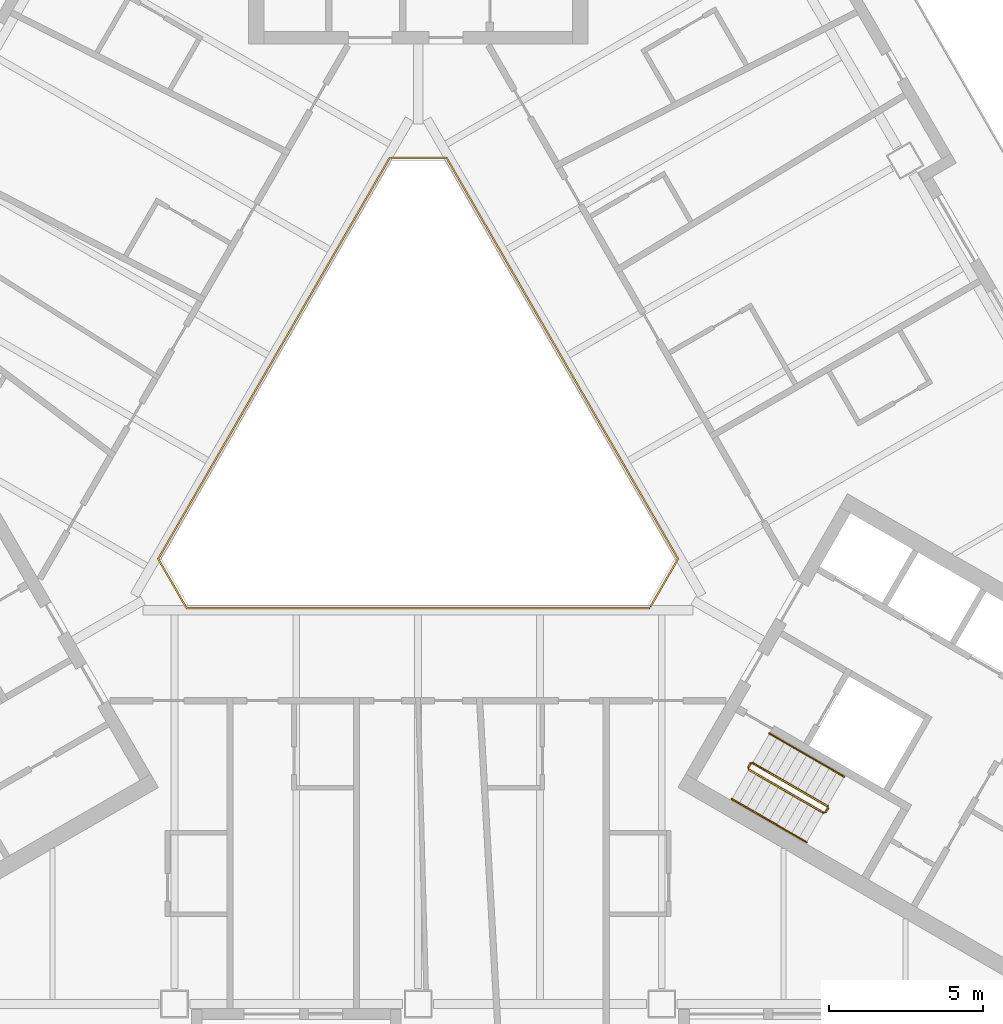
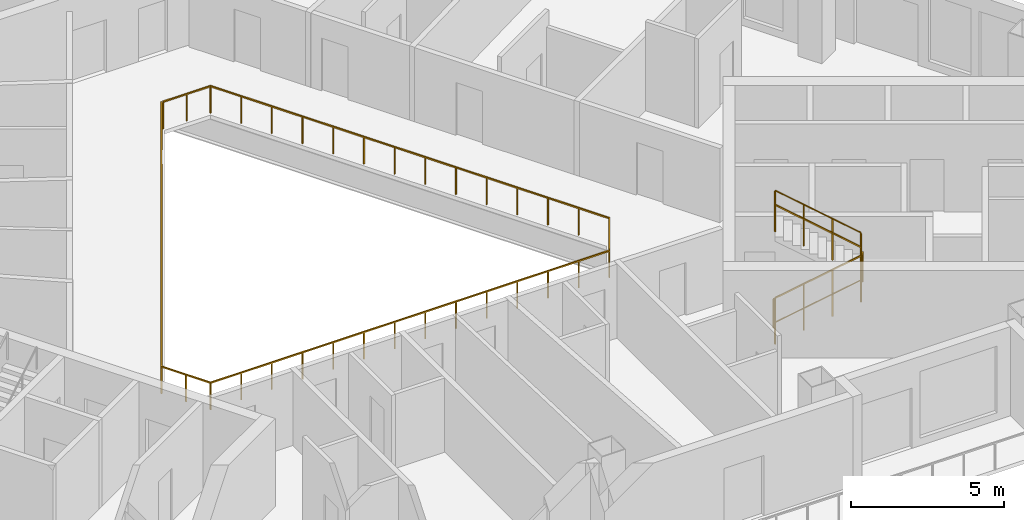
# One storey, part 12 of 14: 8 railings.
"""IFC4 building model written with IfcOpenShell, lengths in metres."""

from ifc_helpers import new_model, si_unit, direction, frame, origin, origin_2d, place, context, subcontext, project, spatial, rectangle, circle, extrude, material, type_object, element, save


model = new_model("IFC4")

# Units and contexts
model_context = context("Model", 3, precision=1e-05, world=origin(), true_north=direction((0.0, 1.0)))
body_context = subcontext(model_context, "Body", "Model", "MODEL_VIEW")
ifc_project = project(units=[si_unit("LENGTHUNIT", "METRE"), si_unit("AREAUNIT", "SQUARE_METRE"), si_unit("VOLUMEUNIT", "CUBIC_METRE"), si_unit("PLANEANGLEUNIT", "RADIAN"), si_unit("MASSUNIT", "GRAM", prefix="KILO")], contexts=[model_context])

# Site, building, storey
site_placement = place(None, origin())
site = spatial("IfcSite", under=ifc_project, at=site_placement, CompositionType="ELEMENT")
building_placement = place(site_placement, origin())
building = spatial("IfcBuilding", under=site, at=building_placement, Name="Apuvela Tower Hotel", CompositionType="ELEMENT")
storey_placement = place(building_placement, frame((0.0, 0.0, 87.199951171875)))
storey = spatial("IfcBuildingStorey", under=building, at=storey_placement, Name="L19", CompositionType="ELEMENT", Elevation=87.199951171875)

# Railings
ifc_material_1 = material(Name="Steel S275 balustrade", Category="steel")
railing_type_1 = type_object("IfcRailingType", Name="COR-GUARD-1100", PredefinedType="GUARDRAIL", material=ifc_material_1)
railing_1_placement = place(storey_placement, frame((10.718994140625, -10.63427734375, 0.168212890625)))
element("IfcRailing", 1, at=railing_1_placement, inside=storey, type_object=railing_type_1, Name="L19 ST3 stair guard 1", PredefinedType="GUARDRAIL", context=body_context, shape_type="SweptSolid", body=[
    extrude(rectangle(XDim=0.048095703125, YDim=0.048095703125, at=origin_2d()), frame((0.0, 0.0, 1.076171875), z_axis=(0.742390482028, -0.42860119049, 0.514934356695), x_axis=(0.49998411664, 0.866034573852, 0.0)), (0.0, 0.0, 1.0), 3.26611328125),
    extrude(rectangle(XDim=0.0419921875, YDim=0.0419921875, at=origin_2d()), origin(), (0.0, 0.0, 1.0), 1.052001953125),
    extrude(rectangle(XDim=0.0419921875, YDim=0.0419921875, at=origin_2d()), frame((0.808349609375, -0.466552734375, 0.560546875)), (0.0, 0.0, 1.0), 1.052001953125),
    extrude(rectangle(XDim=0.0419921875, YDim=0.0419921875, at=origin_2d()), frame((1.616455078125, -0.933349609375, 1.121337890625)), (0.0, 0.0, 1.0), 1.052001953125),
    extrude(rectangle(XDim=0.0419921875, YDim=0.0419921875, at=origin_2d()), frame((2.4248046875, -1.39990234375, 1.681884765625)), (0.0, 0.0, 1.0), 1.052001953125),
])
railing_2_placement = place(storey_placement, frame((13.212158203125, -12.015869140625, 1.85009765625)))
element("IfcRailing", 2, at=railing_2_placement, inside=storey, type_object=railing_type_1, Name="L19 ST3 stair guard 2", PredefinedType="GUARDRAIL", context=body_context, shape_type="SweptSolid", body=[
    extrude(rectangle(XDim=0.048095703125, YDim=0.048095703125, at=origin_2d()), frame((0.0, 0.0, 1.076171875), z_axis=(0.499816412211, 0.866131372301, 0.0), x_axis=(-0.866131372301, 0.499816412211, 0.0)), (0.0, 0.0, 1.0), 0.14990234375),
    extrude(rectangle(XDim=0.0419921875, YDim=0.0419921875, at=origin_2d()), origin(), (0.0, 0.0, 1.0), 1.052001953125),
    extrude(rectangle(XDim=0.0419921875, YDim=0.0419921875, at=origin_2d()), frame((0.074951171875, 0.1298828125, 0.0)), (0.0, 0.0, 1.0), 1.052001953125),
])
railing_3_placement = place(storey_placement, frame((13.268798828125, -11.817626953125, 2.018310546875)))
element("IfcRailing", 3, at=railing_3_placement, inside=storey, type_object=railing_type_1, Name="L19 ST3 stair guard 3", PredefinedType="GUARDRAIL", context=body_context, shape_type="SweptSolid", body=[
    extrude(rectangle(XDim=0.048095703125, YDim=0.048095703125, at=origin_2d()), frame((0.0, 0.0, 1.076171875), z_axis=(-0.74241905619, 0.428617687091, 0.514879426), x_axis=(-0.49998411664, -0.866034573852, 0.0)), (0.0, 0.0, 1.0), 3.26611328125),
    extrude(rectangle(XDim=0.0419921875, YDim=0.0419921875, at=origin_2d()), origin(), (0.0, 0.0, 1.0), 1.052001953125),
    extrude(rectangle(XDim=0.0419921875, YDim=0.0419921875, at=origin_2d()), frame((-0.808349609375, 0.466552734375, 0.560546875)), (0.0, 0.0, 1.0), 1.052001953125),
    extrude(rectangle(XDim=0.0419921875, YDim=0.0419921875, at=origin_2d()), frame((-1.616455078125, 0.933349609375, 1.12109375)), (0.0, 0.0, 1.0), 1.052001953125),
    extrude(rectangle(XDim=0.0419921875, YDim=0.0419921875, at=origin_2d()), frame((-2.4248046875, 1.39990234375, 1.681640625)), (0.0, 0.0, 1.0), 1.052001953125),
])
railing_4_placement = place(storey_placement, frame((10.70068359375, -10.56591796875, 0.0)))
element("IfcRailing", 4, at=railing_4_placement, inside=storey, type_object=railing_type_1, Name="L19 ST3 stair guard 4", PredefinedType="GUARDRAIL", context=body_context, shape_type="SweptSolid", body=[
    extrude(rectangle(XDim=0.048095703125, YDim=0.048095703125, at=origin_2d()), frame((0.0, 0.0, 1.076171875), z_axis=(0.499816412211, 0.866131372301, 0.0), x_axis=(-0.866131372301, 0.499816412211, 0.0)), (0.0, 0.0, 1.0), 0.14990234375),
    extrude(rectangle(XDim=0.0419921875, YDim=0.0419921875, at=origin_2d()), origin(), (0.0, 0.0, 1.0), 1.052001953125),
    extrude(rectangle(XDim=0.0419921875, YDim=0.0419921875, at=origin_2d()), frame((0.074951171875, 0.1298828125, 0.0)), (0.0, 0.0, 1.0), 1.052001953125),
])
ifc_material_2 = material(Name="Stainless steel 316 handrail", Category="steel")
railing_type_2 = type_object("IfcRailingType", Name="COR-HANDRAIL-900", PredefinedType="HANDRAIL", material=ifc_material_2)
railing_5_placement = place(storey_placement, frame((10.1689453125, -11.5869140625, 0.168212890625)))
element("IfcRailing", 5, at=railing_5_placement, inside=storey, type_object=railing_type_2, Name="L19 ST3 stair handrail 1", PredefinedType="HANDRAIL", context=body_context, shape_type="SweptSolid", body=[
    extrude(circle(Radius=0.02392578125, at=origin_2d()), frame((0.0, 0.0, 0.8759765625), z_axis=(0.742390482028, -0.42860119049, 0.514934356695), x_axis=(0.49998411664, 0.866034573852, 0.0)), (0.0, 0.0, 1.0), 3.26611328125),
    extrude(rectangle(XDim=0.0419921875, YDim=0.0419921875, at=origin_2d()), origin(), (0.0, 0.0, 1.0), 0.851806640625),
    extrude(rectangle(XDim=0.0419921875, YDim=0.0419921875, at=origin_2d()), frame((0.808349609375, -0.466552734375, 0.560546875)), (0.0, 0.0, 1.0), 0.851806640625),
    extrude(rectangle(XDim=0.0419921875, YDim=0.0419921875, at=origin_2d()), frame((1.616455078125, -0.933349609375, 1.121337890625)), (0.0, 0.0, 1.0), 0.851806640625),
    extrude(rectangle(XDim=0.0419921875, YDim=0.0419921875, at=origin_2d()), frame((2.4248046875, -1.39990234375, 1.681884765625)), (0.0, 0.0, 1.0), 0.851806640625),
])
railing_6_placement = place(storey_placement, frame((13.81884765625, -10.864990234375, 2.018310546875)))
element("IfcRailing", 6, at=railing_6_placement, inside=storey, type_object=railing_type_2, Name="L19 ST3 stair handrail 2", PredefinedType="HANDRAIL", context=body_context, shape_type="SweptSolid", body=[
    extrude(circle(Radius=0.02392578125, at=origin_2d()), frame((0.0, 0.0, 0.8759765625), z_axis=(-0.74241905619, 0.428617687091, 0.514879426), x_axis=(-0.49998411664, -0.866034573852, 0.0)), (0.0, 0.0, 1.0), 3.26611328125),
    extrude(rectangle(XDim=0.0419921875, YDim=0.0419921875, at=origin_2d()), origin(), (0.0, 0.0, 1.0), 0.851806640625),
    extrude(rectangle(XDim=0.0419921875, YDim=0.0419921875, at=origin_2d()), frame((-0.808349609375, 0.466552734375, 0.560546875)), (0.0, 0.0, 1.0), 0.851806640625),
    extrude(rectangle(XDim=0.0419921875, YDim=0.0419921875, at=origin_2d()), frame((-1.616455078125, 0.933349609375, 1.12109375)), (0.0, 0.0, 1.0), 0.851806640625),
    extrude(rectangle(XDim=0.0419921875, YDim=0.0419921875, at=origin_2d()), frame((-2.4248046875, 1.39990234375, 1.681640625)), (0.0, 0.0, 1.0), 0.851806640625),
])
ifc_material_3 = material(Name="Stainless steel 316 rail with laminated glass infill", Category="steel")
railing_type_3 = type_object("IfcRailingType", Name="ENV-GUARD-1100", PredefinedType="GUARDRAIL", material=ifc_material_3)
railing_7_placement = place(storey_placement, frame((-0.923828125, 9.199951171875, 0.0)))
element("IfcRailing", 7, at=railing_7_placement, inside=storey, type_object=railing_type_3, Name="Atrium void guard A L19", PredefinedType="GUARDRAIL", context=body_context, shape_type="SweptSolid", body=[
    extrude(rectangle(XDim=0.050048828125, YDim=0.050048828125, at=origin_2d()), frame((0.0, 0.0, 1.0751953125), z_axis=(-0.499990886379, -0.866030665472, 0.0), x_axis=(0.866030665472, -0.499990886379, 0.0)), (0.0, 0.0, 1.0), 15.010986328125),
    extrude(rectangle(XDim=0.050048828125, YDim=0.050048828125, at=origin_2d()), frame((-7.50537109375, -13.0, 1.0751953125), z_axis=(0.499962699187, -0.866046938348, 0.0), x_axis=(0.866046938348, 0.499962699187, 0.0)), (0.0, 0.0, 1.0), 1.847412109375),
    extrude(rectangle(XDim=0.050048828125, YDim=0.050048828125, at=origin_2d()), frame((-6.581787109375, -14.599853515625, 1.0751953125), z_axis=(1.0, 0.0, 0.0), x_axis=(0.0, 1.0, 0.0)), (0.0, 0.0, 1.0), 15.01123046875),
    extrude(rectangle(XDim=0.0400390625, YDim=0.0400390625, at=origin_2d()), origin(), (0.0, 0.0, 1.0), 1.050048828125),
    extrude(rectangle(XDim=0.0400390625, YDim=0.0400390625, at=origin_2d()), frame((-0.577392578125, -1.0, 0.0)), (0.0, 0.0, 1.0), 1.050048828125),
    extrude(rectangle(XDim=0.0400390625, YDim=0.0400390625, at=origin_2d()), frame((-1.15478515625, -2.0, 0.0)), (0.0, 0.0, 1.0), 1.050048828125),
    extrude(rectangle(XDim=0.0400390625, YDim=0.0400390625, at=origin_2d()), frame((-1.73193359375, -3.0, 0.0)), (0.0, 0.0, 1.0), 1.050048828125),
    extrude(rectangle(XDim=0.0400390625, YDim=0.0400390625, at=origin_2d()), frame((-2.309326171875, -4.0, 0.0)), (0.0, 0.0, 1.0), 1.050048828125),
    extrude(rectangle(XDim=0.0400390625, YDim=0.0400390625, at=origin_2d()), frame((-2.88671875, -5.0, 0.0)), (0.0, 0.0, 1.0), 1.050048828125),
    extrude(rectangle(XDim=0.0400390625, YDim=0.0400390625, at=origin_2d()), frame((-3.464111328125, -6.0, 0.0)), (0.0, 0.0, 1.0), 1.050048828125),
    extrude(rectangle(XDim=0.0400390625, YDim=0.0400390625, at=origin_2d()), frame((-4.041259765625, -7.0, 0.0)), (0.0, 0.0, 1.0), 1.050048828125),
    extrude(rectangle(XDim=0.0400390625, YDim=0.0400390625, at=origin_2d()), frame((-4.61865234375, -8.0, 0.0)), (0.0, 0.0, 1.0), 1.050048828125),
    extrude(rectangle(XDim=0.0400390625, YDim=0.0400390625, at=origin_2d()), frame((-5.196044921875, -9.0, 0.0)), (0.0, 0.0, 1.0), 1.050048828125),
    extrude(rectangle(XDim=0.0400390625, YDim=0.0400390625, at=origin_2d()), frame((-5.7734375, -10.0, 0.0)), (0.0, 0.0, 1.0), 1.050048828125),
    extrude(rectangle(XDim=0.0400390625, YDim=0.0400390625, at=origin_2d()), frame((-6.3505859375, -11.0, 0.0)), (0.0, 0.0, 1.0), 1.050048828125),
    extrude(rectangle(XDim=0.0400390625, YDim=0.0400390625, at=origin_2d()), frame((-6.927978515625, -12.0, 0.0)), (0.0, 0.0, 1.0), 1.050048828125),
    extrude(rectangle(XDim=0.0400390625, YDim=0.0400390625, at=origin_2d()), frame((-7.50537109375, -13.0, 0.0)), (0.0, 0.0, 1.0), 1.050048828125),
    extrude(rectangle(XDim=0.0400390625, YDim=0.0400390625, at=origin_2d()), frame((-7.04345703125, -13.7998046875, 0.0)), (0.0, 0.0, 1.0), 1.050048828125),
    extrude(rectangle(XDim=0.0400390625, YDim=0.0400390625, at=origin_2d()), frame((-6.581787109375, -14.599853515625, 0.0)), (0.0, 0.0, 1.0), 1.050048828125),
    extrude(rectangle(XDim=0.0400390625, YDim=0.0400390625, at=origin_2d()), frame((-5.427001953125, -14.599853515625, 0.0)), (0.0, 0.0, 1.0), 1.050048828125),
    extrude(rectangle(XDim=0.0400390625, YDim=0.0400390625, at=origin_2d()), frame((-4.2724609375, -14.599853515625, 0.0)), (0.0, 0.0, 1.0), 1.050048828125),
    extrude(rectangle(XDim=0.0400390625, YDim=0.0400390625, at=origin_2d()), frame((-3.11767578125, -14.599853515625, 0.0)), (0.0, 0.0, 1.0), 1.050048828125),
    extrude(rectangle(XDim=0.0400390625, YDim=0.0400390625, at=origin_2d()), frame((-1.962890625, -14.599853515625, 0.0)), (0.0, 0.0, 1.0), 1.050048828125),
    extrude(rectangle(XDim=0.0400390625, YDim=0.0400390625, at=origin_2d()), frame((-0.808349609375, -14.599853515625, 0.0)), (0.0, 0.0, 1.0), 1.050048828125),
    extrude(rectangle(XDim=0.0400390625, YDim=0.0400390625, at=origin_2d()), frame((0.346435546875, -14.599853515625, 0.0)), (0.0, 0.0, 1.0), 1.050048828125),
    extrude(rectangle(XDim=0.0400390625, YDim=0.0400390625, at=origin_2d()), frame((1.501220703125, -14.599853515625, 0.0)), (0.0, 0.0, 1.0), 1.050048828125),
    extrude(rectangle(XDim=0.0400390625, YDim=0.0400390625, at=origin_2d()), frame((2.656005859375, -14.599853515625, 0.0)), (0.0, 0.0, 1.0), 1.050048828125),
    extrude(rectangle(XDim=0.0400390625, YDim=0.0400390625, at=origin_2d()), frame((3.810546875, -14.599853515625, 0.0)), (0.0, 0.0, 1.0), 1.050048828125),
    extrude(rectangle(XDim=0.0400390625, YDim=0.0400390625, at=origin_2d()), frame((4.96533203125, -14.599853515625, 0.0)), (0.0, 0.0, 1.0), 1.050048828125),
    extrude(rectangle(XDim=0.0400390625, YDim=0.0400390625, at=origin_2d()), frame((6.1201171875, -14.599853515625, 0.0)), (0.0, 0.0, 1.0), 1.050048828125),
    extrude(rectangle(XDim=0.0400390625, YDim=0.0400390625, at=origin_2d()), frame((7.274658203125, -14.599853515625, 0.0)), (0.0, 0.0, 1.0), 1.050048828125),
    extrude(rectangle(XDim=0.0400390625, YDim=0.0400390625, at=origin_2d()), frame((8.429443359375, -14.599853515625, 0.0)), (0.0, 0.0, 1.0), 1.050048828125),
])
railing_8_placement = place(storey_placement, frame((7.53564453125, -5.347900390625, 0.0)))
element("IfcRailing", 8, at=railing_8_placement, inside=storey, type_object=railing_type_3, Name="Atrium void guard B L19", PredefinedType="GUARDRAIL", context=body_context, shape_type="SweptSolid", body=[
    extrude(rectangle(XDim=0.050048828125, YDim=0.050048828125, at=origin_2d()), frame((0.0, 0.0, 1.0751953125), z_axis=(0.499958946799, 0.866049104564, 0.0), x_axis=(-0.866049104564, 0.499958946799, 0.0)), (0.0, 0.0, 1.0), 1.787353515625),
    extrude(rectangle(XDim=0.050048828125, YDim=0.050048828125, at=origin_2d()), frame((0.8935546875, 1.5478515625, 1.0751953125), z_axis=(-0.499990886379, 0.866030665472, 0.0), x_axis=(-0.866030665472, -0.499990886379, 0.0)), (0.0, 0.0, 1.0), 15.010986328125),
    extrude(rectangle(XDim=0.050048828125, YDim=0.050048828125, at=origin_2d()), frame((-6.61181640625, 14.5478515625, 1.0751953125), z_axis=(-1.0, 0.0, 0.0), x_axis=(0.0, -1.0, 0.0)), (0.0, 0.0, 1.0), 1.78759765625),
    extrude(rectangle(XDim=0.0400390625, YDim=0.0400390625, at=origin_2d()), origin(), (0.0, 0.0, 1.0), 1.050048828125),
    extrude(rectangle(XDim=0.0400390625, YDim=0.0400390625, at=origin_2d()), frame((0.44677734375, 0.77392578125, 0.0)), (0.0, 0.0, 1.0), 1.050048828125),
    extrude(rectangle(XDim=0.0400390625, YDim=0.0400390625, at=origin_2d()), frame((0.8935546875, 1.5478515625, 0.0)), (0.0, 0.0, 1.0), 1.050048828125),
    extrude(rectangle(XDim=0.0400390625, YDim=0.0400390625, at=origin_2d()), frame((0.316162109375, 2.5478515625, 0.0)), (0.0, 0.0, 1.0), 1.050048828125),
    extrude(rectangle(XDim=0.0400390625, YDim=0.0400390625, at=origin_2d()), frame((-0.26123046875, 3.5478515625, 0.0)), (0.0, 0.0, 1.0), 1.050048828125),
    extrude(rectangle(XDim=0.0400390625, YDim=0.0400390625, at=origin_2d()), frame((-0.83837890625, 4.5478515625, 0.0)), (0.0, 0.0, 1.0), 1.050048828125),
    extrude(rectangle(XDim=0.0400390625, YDim=0.0400390625, at=origin_2d()), frame((-1.415771484375, 5.5478515625, 0.0)), (0.0, 0.0, 1.0), 1.050048828125),
    extrude(rectangle(XDim=0.0400390625, YDim=0.0400390625, at=origin_2d()), frame((-1.9931640625, 6.5478515625, 0.0)), (0.0, 0.0, 1.0), 1.050048828125),
    extrude(rectangle(XDim=0.0400390625, YDim=0.0400390625, at=origin_2d()), frame((-2.570556640625, 7.5478515625, 0.0)), (0.0, 0.0, 1.0), 1.050048828125),
    extrude(rectangle(XDim=0.0400390625, YDim=0.0400390625, at=origin_2d()), frame((-3.147705078125, 8.5478515625, 0.0)), (0.0, 0.0, 1.0), 1.050048828125),
    extrude(rectangle(XDim=0.0400390625, YDim=0.0400390625, at=origin_2d()), frame((-3.72509765625, 9.5478515625, 0.0)), (0.0, 0.0, 1.0), 1.050048828125),
    extrude(rectangle(XDim=0.0400390625, YDim=0.0400390625, at=origin_2d()), frame((-4.302490234375, 10.5478515625, 0.0)), (0.0, 0.0, 1.0), 1.050048828125),
    extrude(rectangle(XDim=0.0400390625, YDim=0.0400390625, at=origin_2d()), frame((-4.8798828125, 11.5478515625, 0.0)), (0.0, 0.0, 1.0), 1.050048828125),
    extrude(rectangle(XDim=0.0400390625, YDim=0.0400390625, at=origin_2d()), frame((-5.45703125, 12.5478515625, 0.0)), (0.0, 0.0, 1.0), 1.050048828125),
    extrude(rectangle(XDim=0.0400390625, YDim=0.0400390625, at=origin_2d()), frame((-6.034423828125, 13.5478515625, 0.0)), (0.0, 0.0, 1.0), 1.050048828125),
    extrude(rectangle(XDim=0.0400390625, YDim=0.0400390625, at=origin_2d()), frame((-6.61181640625, 14.5478515625, 0.0)), (0.0, 0.0, 1.0), 1.050048828125),
    extrude(rectangle(XDim=0.0400390625, YDim=0.0400390625, at=origin_2d()), frame((-7.505615234375, 14.5478515625, 0.0)), (0.0, 0.0, 1.0), 1.050048828125),
    extrude(rectangle(XDim=0.0400390625, YDim=0.0400390625, at=origin_2d()), frame((-8.3994140625, 14.5478515625, 0.0)), (0.0, 0.0, 1.0), 1.050048828125),
])

save(model, "model.ifc")
